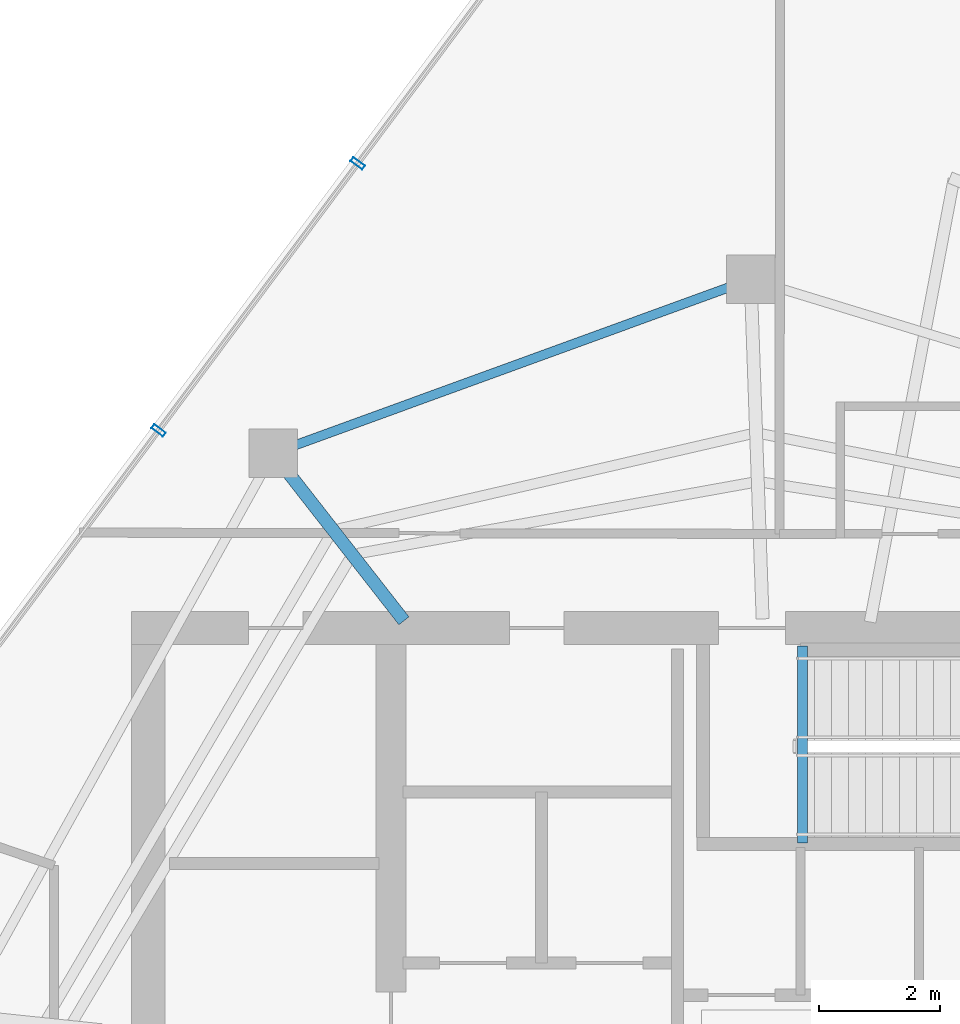
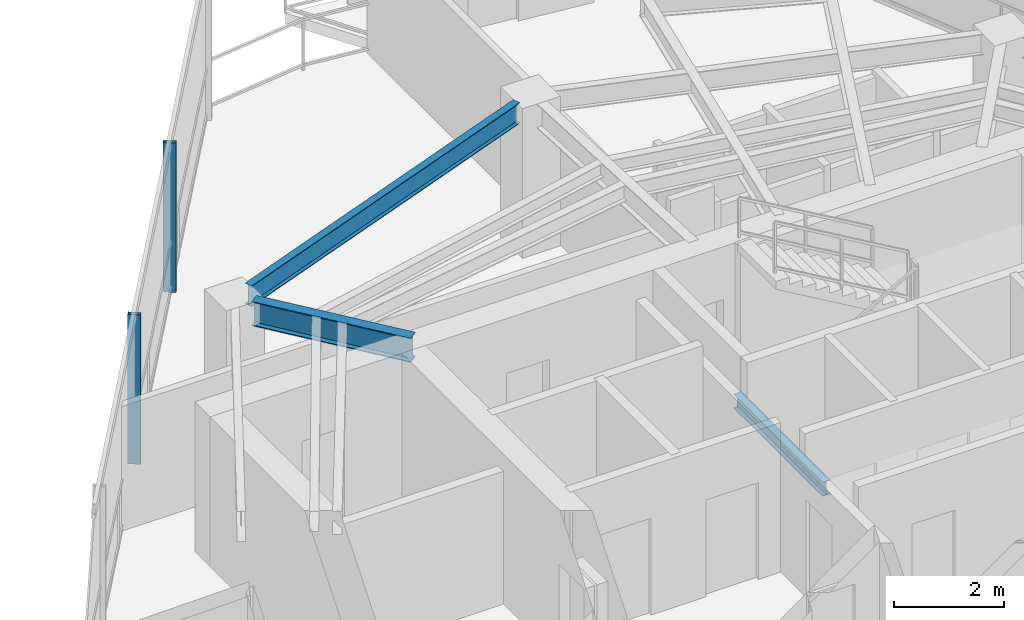
# One storey, part 8 of 18: 3 beams, 2 members, 1 element without a shape of its own.
"""IFC4 building model written with IfcOpenShell, lengths in metres."""

from ifc_helpers import new_model, si_unit, direction, frame, origin, origin_2d, place, context, subcontext, project, spatial, hollow_rectangle, i_section, extrude, material, layer, layer_set, material_profile, profile_set, type_object, element, aggregate, save


model = new_model("IFC4")

# Units and contexts
model_context = context("Model", 3, precision=1e-05, world=origin(), true_north=direction((0.0, 1.0)))
body_context = subcontext(model_context, "Body", "Model", "MODEL_VIEW")
ifc_project = project(units=[si_unit("LENGTHUNIT", "METRE"), si_unit("AREAUNIT", "SQUARE_METRE"), si_unit("VOLUMEUNIT", "CUBIC_METRE"), si_unit("PLANEANGLEUNIT", "RADIAN"), si_unit("MASSUNIT", "GRAM", prefix="KILO")], contexts=[model_context])

# Site, building, storey
site_placement = place(None, origin())
site = spatial("IfcSite", under=ifc_project, at=site_placement, CompositionType="ELEMENT")
building_placement = place(site_placement, origin())
building = spatial("IfcBuilding", under=site, at=building_placement, Name="Qarnah Convention Tower", CompositionType="ELEMENT")
storey_placement = place(building_placement, frame((0.0, 0.0, 267.89990234375)))
storey = spatial("IfcBuildingStorey", under=building, at=storey_placement, Name="L72", CompositionType="ELEMENT", Elevation=267.89990234375)

# Beams
ifc_material_1 = material(Name="Structural steel S355JR", Category="steel")
ifc_material_profile_1 = material_profile(ifc_material_1, i_section(OverallWidth=0.166015625, OverallDepth=0.31201171875, WebThickness=0.007080078125, FlangeThickness=0.010986328125, at=origin_2d()), Name="W310X45")
ifc_profile_set_1 = profile_set([ifc_material_profile_1], Name="Structural steel S355JR")
beam_type_1 = type_object("IfcBeamType", Name="BM-JST-W310", PredefinedType="JOIST", material=ifc_profile_set_1)
beam_1_placement = place(storey_placement, frame((37.5830078125, 30.659912109375, -0.156005859375), z_axis=(0.0, 1.0, 0.0), x_axis=(-1.0, 0.0, 0.0)))
element("IfcBeam", 1, at=beam_1_placement, inside=storey, type_object=beam_type_1, Name="L72 stair landing trimmer beam BM-L72-ST3-TRM", PredefinedType="BEAM", context=body_context, shape_type="SweptSolid", body=[
    extrude(i_section(OverallWidth=0.166015625, OverallDepth=0.31201171875, WebThickness=0.007080078125, FlangeThickness=0.010986328125, at=origin_2d()), origin(), (0.0, 0.0, 1.0), 3.239990234375),
])
ifc_material_profile_2 = material_profile(ifc_material_1, i_section(OverallWidth=0.2119140625, OverallDepth=0.5400390625, WebThickness=0.011962890625, FlangeThickness=0.01904296875, at=origin_2d()), Name="W530X109")
ifc_profile_set_2 = profile_set([ifc_material_profile_2], Name="Structural steel S355JR")
beam_type_2 = type_object("IfcBeamType", Name="BM-RAD-W530A", PredefinedType="BEAM", material=ifc_profile_set_2)
beam_2_placement = place(storey_placement, frame((31.013916015625, 34.318115234375, 3.050048828125), z_axis=(-0.61549837076, 0.78813815768, 0.0), x_axis=(-0.78813815768, -0.61549837076, 0.0)))
element("IfcBeam", 2, at=beam_2_placement, inside=storey, type_object=beam_type_2, Name="L72 beam BM-L72-RAD-04", PredefinedType="BEAM", context=body_context, shape_type="SweptSolid", body=[
    extrude(i_section(OverallWidth=0.2119140625, OverallDepth=0.5400390625, WebThickness=0.011962890625, FlangeThickness=0.01904296875, at=origin_2d()), origin(), (0.0, 0.0, 1.0), 3.12255859375),
])
ifc_material_profile_3 = material_profile(ifc_material_1, i_section(OverallWidth=0.154052734375, OverallDepth=0.4599609375, WebThickness=0.009033203125, FlangeThickness=0.014892578125, at=origin_2d()), Name="W460X68")
ifc_profile_set_3 = profile_set([ifc_material_profile_3], Name="Structural steel S355JR")
beam_type_3 = type_object("IfcBeamType", Name="BM-SPN-W460B", PredefinedType="SPANDREL", material=ifc_profile_set_3)
beam_3_placement = place(storey_placement, frame((36.361083984375, 39.80908203125, 3.090087890625), z_axis=(-0.939671356419, -0.342078561044, 0.0), x_axis=(0.342078561044, -0.939671356419, 0.0)))
element("IfcBeam", 3, at=beam_3_placement, inside=storey, type_object=beam_type_3, Name="L72 spandrel BM-L72-SPN-03", PredefinedType="SPANDREL", context=body_context, shape_type="SweptSolid", body=[
    extrude(i_section(OverallWidth=0.154052734375, OverallDepth=0.4599609375, WebThickness=0.009033203125, FlangeThickness=0.014892578125, at=origin_2d()), origin(), (0.0, 0.0, 1.0), 7.59521484375),
])

# Curtain wall, members
ifc_material_2 = material(Name="Tempered Low-E dark glass", Category="glass")
ifc_layer = layer(ifc_material_2, 0.176025390625)
ifc_layer_set = layer_set([ifc_layer], Name="Tempered Low-E dark glass")
curtain_wall_type = type_object("IfcCurtainWallType", Name="CWS-05", PredefinedType="NOTDEFINED", material=ifc_layer_set)
curtain_wall_placement = place(storey_placement, origin())
curtain_wall = element("IfcCurtainWall", 4, at=curtain_wall_placement, inside=storey, type_object=curtain_wall_type, Name="L72 unitised curtain wall CW-L72-F2", PredefinedType="NOTDEFINED")
ifc_material_3 = material(Name="Black anodised aluminium", Category="aluminium")
ifc_material_profile_4 = material_profile(ifc_material_3, hollow_rectangle(XDim=0.080078125, YDim=0.239990234375, WallThickness=0.0048828125, at=origin_2d()), Name="MUL-80X240")
ifc_profile_set_4 = profile_set([ifc_material_profile_4], Name="Black anodised aluminium")
member_type = type_object("IfcMemberType", Name="MUL-T5", PredefinedType="MULLION", material=ifc_profile_set_4)
member_1_placement = place(storey_placement, frame((26.9716796875, 37.45361328125, 0.0), z_axis=(0.0, 0.0, 1.0), x_axis=(0.597875477778, 0.801588992609, 0.0)))
member_1 = element("IfcMember", 5, at=member_1_placement, type_object=member_type, Name="CW-L72-F2 mullion 4", PredefinedType="MULLION", context=body_context, shape_type="SweptSolid", body=[
    extrude(hollow_rectangle(XDim=0.080078125, YDim=0.239990234375, WallThickness=0.0048828125, at=origin_2d()), origin(), (0.0, 0.0, 1.0), 3.320068359375),
])
member_2_placement = place(storey_placement, frame((30.252685546875, 41.852783203125, 0.0), z_axis=(0.0, 0.0, 1.0), x_axis=(0.597875477778, 0.801588992609, 0.0)))
member_2 = element("IfcMember", 6, at=member_2_placement, type_object=member_type, Name="CW-L72-F2 mullion 5", PredefinedType="MULLION", context=body_context, shape_type="SweptSolid", body=[
    extrude(hollow_rectangle(XDim=0.080078125, YDim=0.239990234375, WallThickness=0.0048828125, at=origin_2d()), origin(), (0.0, 0.0, 1.0), 3.320068359375),
])
aggregate(curtain_wall, [member_1, member_2])

save(model, "model.ifc")
